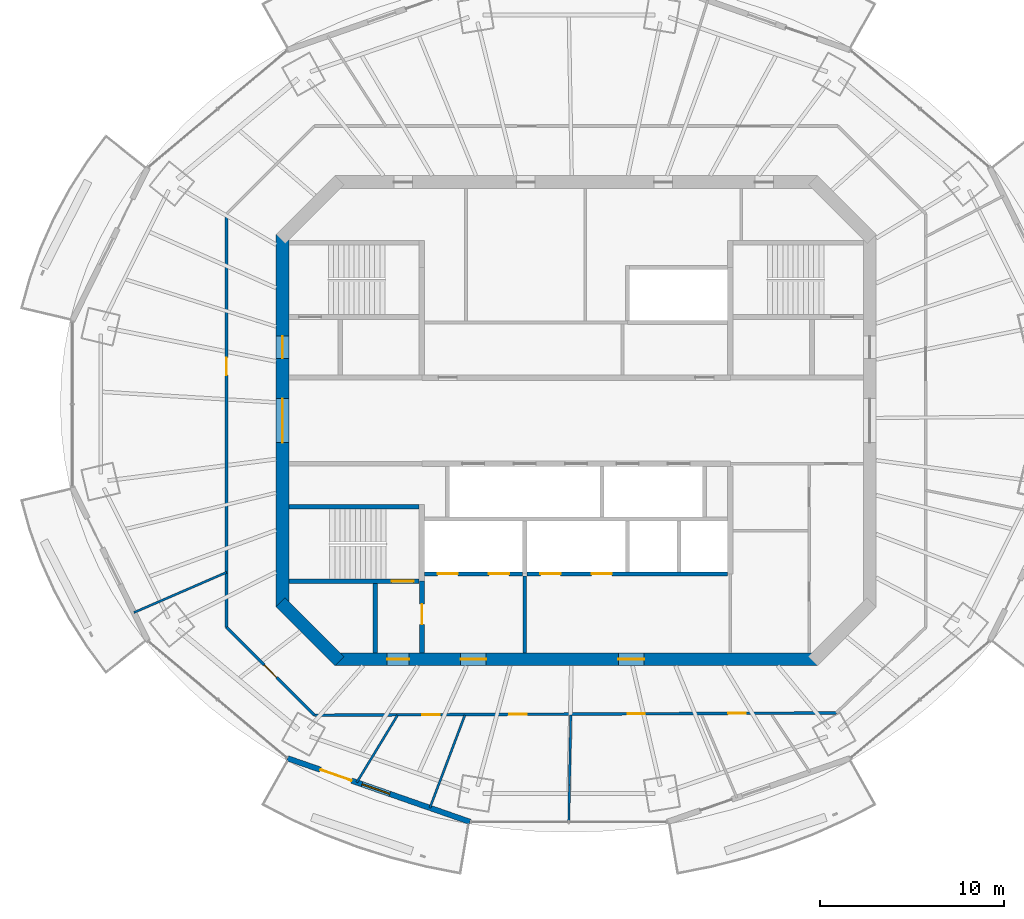
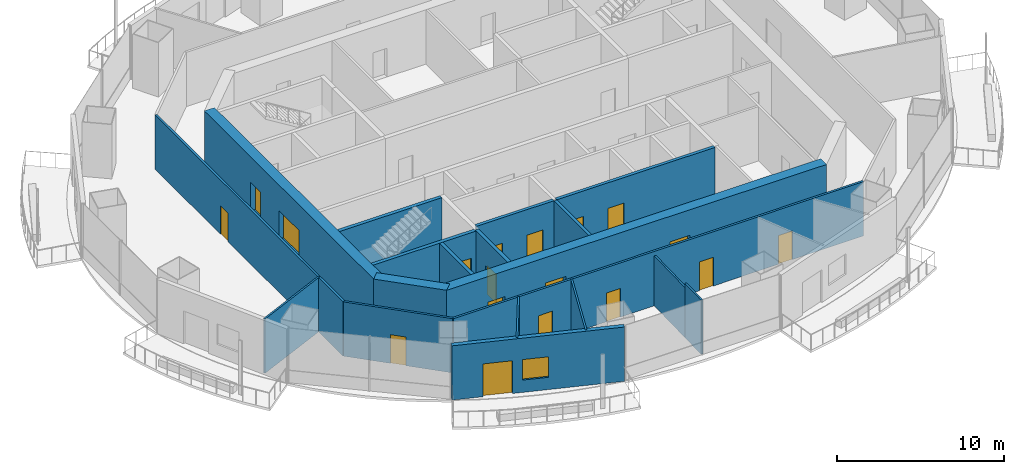
# One storey, part 8 of 16: 19 walls, 18 doors, 1 window, 19 openings.
"""IFC4 building model written with IfcOpenShell, lengths in metres."""

from ifc_helpers import new_model, si_unit, direction, frame, frame_2d, origin, place, context, subcontext, project, spatial, rectangle, extrude, material, layer, layer_set, type_object, element, fill, save


model = new_model("IFC4")

# Units and contexts
model_context = context("Model", 3, precision=1e-05, world=origin(), true_north=direction((0.0, 1.0)))
body_context = subcontext(model_context, "Body", "Model", "MODEL_VIEW")
ifc_project = project(units=[si_unit("LENGTHUNIT", "METRE"), si_unit("AREAUNIT", "SQUARE_METRE"), si_unit("VOLUMEUNIT", "CUBIC_METRE"), si_unit("PLANEANGLEUNIT", "RADIAN"), si_unit("MASSUNIT", "GRAM", prefix="KILO")], contexts=[model_context])

# Site, building, storey
site_placement = place(None, origin())
site = spatial("IfcSite", under=ifc_project, at=site_placement, CompositionType="ELEMENT")
building_placement = place(site_placement, origin())
building = spatial("IfcBuilding", under=site, at=building_placement, Name="Marenthal Gate Tower", CompositionType="ELEMENT")
storey_placement = place(building_placement, frame((0.0, 0.0, 330.14990234375)))
storey = spatial("IfcBuildingStorey", under=building, at=storey_placement, Name="L74", CompositionType="ELEMENT", Elevation=330.14990234375)

# Wall, openings, doors
ifc_material_1 = material(Name="Concrete 60 MPa", Category="concrete")
ifc_layer_1 = layer(ifc_material_1, 0.699951171875)
ifc_layer_set_1 = layer_set([ifc_layer_1], Name="Core shear wall 700")
wall_type_1 = type_object("IfcWallType", Name="Core shear wall 700", PredefinedType="SHEAR", material=ifc_layer_set_1)
wall_1_placement = place(storey_placement, frame((-16.0, 10.14501953125, -0.179931640625), z_axis=(0.0, 0.0, 1.0), x_axis=(0.0, -1.0, 0.0)))
wall_1 = element("IfcWall", 1, at=wall_1_placement, inside=storey, type_object=wall_type_1, Name="Core wall 06", PredefinedType="SHEAR", context=body_context, shape_type="SweptSolid", body=[
    extrude(rectangle(XDim=20.2900390625, YDim=0.699951171875, at=frame_2d((10.14501953125, 0.0))), origin(), (0.0, 0.0, 1.0), 4.150146484375),
])
opening_1_placement = place(wall_1_placement, frame((8.945068359375, 0.0, 0.179931640625)))
opening_1 = element("IfcOpeningElement", 2, at=opening_1_placement, cuts=wall_1, Name="Opening D003.01", PredefinedType="OPENING", context=body_context, shape_type="SweptSolid", body=[
    extrude(rectangle(XDim=2.39990234375, YDim=2.10009765625, at=frame_2d((1.199951171875, 1.050048828125))), frame((0.0, 0.35986328125, 0.0), z_axis=(0.0, -1.0, 0.0), x_axis=(1.0, 0.0, 0.0)), (0.0, 0.0, 1.0), 0.719970703125),
])
opening_2_placement = place(wall_1_placement, frame((5.544921875, 0.0, 0.179931640625)))
opening_2 = element("IfcOpeningElement", 3, at=opening_2_placement, cuts=wall_1, Name="Opening D001.04", PredefinedType="OPENING", context=body_context, shape_type="SweptSolid", body=[
    extrude(rectangle(XDim=1.199951171875, YDim=2.10009765625, at=frame_2d((0.60009765625, 1.050048828125))), frame((0.0, 0.35986328125, 0.0), z_axis=(0.0, -1.0, 0.0), x_axis=(1.0, 0.0, 0.0)), (0.0, 0.0, 1.0), 0.719970703125),
])
ifc_material_2 = material(Name="Steel fire door", Category="steel")
door_type_1 = type_object("IfcDoorType", Name="Double fire door FD 45 2400 x 2100", OperationType="DOUBLE_DOOR_SINGLE_SWING", PredefinedType="DOOR", material=ifc_material_2)
door_1_placement = place(opening_1_placement, origin())
door_1 = element("IfcDoor", 4, at=door_1_placement, inside=storey, type_object=door_type_1, Name="Door D003.01", OperationType="DOUBLE_DOOR_SINGLE_SWING", OverallHeight=2.10009765625, OverallWidth=2.39990234375, PredefinedType="DOOR", context=body_context, shape_type="SweptSolid", body=[
    extrude(rectangle(XDim=2.39990234375, YDim=2.10009765625, at=frame_2d((1.199951171875, 1.050048828125))), frame((0.0, 0.02490234375, 0.0), z_axis=(0.0, -1.0, 0.0), x_axis=(1.0, 0.0, 0.0)), (0.0, 0.0, 1.0), 0.050048828125),
])
fill(opening_1, door_1)
ifc_material_3 = material(Name="Steel fire door", Category="steel")
door_type_2 = type_object("IfcDoorType", Name="Fire door FD 90 1200 x 2100", OperationType="NOTDEFINED", PredefinedType="DOOR", material=ifc_material_3)
door_2_placement = place(opening_2_placement, origin())
door_2 = element("IfcDoor", 5, at=door_2_placement, inside=storey, type_object=door_type_2, Name="Door D001.04", OperationType="SINGLE_SWING_RIGHT", OverallHeight=2.10009765625, OverallWidth=1.199951171875, PredefinedType="DOOR", context=body_context, shape_type="SweptSolid", body=[
    extrude(rectangle(XDim=1.199951171875, YDim=2.10009765625, at=frame_2d((0.60009765625, 1.050048828125))), frame((0.0, 0.02490234375, 0.0), z_axis=(0.0, -1.0, 0.0), x_axis=(1.0, 0.0, 0.0)), (0.0, 0.0, 1.0), 0.050048828125),
])
fill(opening_2, door_2)

# Wall
wall_2_placement = place(storey_placement, frame((-16.1025390625, -9.8974609375, -0.179931640625), z_axis=(0.0, 0.0, 1.0), x_axis=(0.707106781187, -0.707106781187, 0.0)))
element("IfcWall", 6, at=wall_2_placement, inside=storey, type_object=wall_type_1, Name="Core wall 07", PredefinedType="SHEAR", context=body_context, shape_type="SweptSolid", body=[
    extrude(rectangle(XDim=4.53271484375, YDim=0.699951171875, at=frame_2d((2.266357421875, 0.0))), origin(), (0.0, 0.0, 1.0), 4.150146484375),
])

# Wall, openings, doors
wall_3_placement = place(storey_placement, frame((-13.14501953125, -13.0, -0.179931640625), z_axis=(0.0, 0.0, 1.0), x_axis=(1.0, 0.0, 0.0)))
wall_3 = element("IfcWall", 7, at=wall_3_placement, inside=storey, type_object=wall_type_1, Name="Core wall 08", PredefinedType="SHEAR", context=body_context, shape_type="SweptSolid", body=[
    extrude(rectangle(XDim=26.2900390625, YDim=0.699951171875, at=frame_2d((13.14501953125, 0.0))), origin(), (0.0, 0.0, 1.0), 4.150146484375),
])
opening_3_placement = place(wall_3_placement, frame((2.844970703125, 0.0, 0.179931640625)))
opening_3 = element("IfcOpeningElement", 8, at=opening_3_placement, cuts=wall_3, Name="Opening D001.06", PredefinedType="OPENING", context=body_context, shape_type="SweptSolid", body=[
    extrude(rectangle(XDim=1.199951171875, YDim=2.10009765625, at=frame_2d((0.60009765625, 1.050048828125))), frame((0.0, 0.35986328125, 0.0), z_axis=(0.0, -1.0, 0.0), x_axis=(1.0, 0.0, 0.0)), (0.0, 0.0, 1.0), 0.719970703125),
])
opening_4_placement = place(wall_3_placement, frame((6.844970703125, 0.0, 0.179931640625)))
opening_4 = element("IfcOpeningElement", 9, at=opening_4_placement, cuts=wall_3, Name="Opening D004.01", PredefinedType="OPENING", context=body_context, shape_type="SweptSolid", body=[
    extrude(rectangle(XDim=1.39990234375, YDim=2.10009765625, at=frame_2d((0.699951171875, 1.050048828125))), frame((0.0, 0.35986328125, 0.0), z_axis=(0.0, -1.0, 0.0), x_axis=(1.0, 0.0, 0.0)), (0.0, 0.0, 1.0), 0.719970703125),
])
opening_5_placement = place(wall_3_placement, frame((15.445068359375, 0.0, 0.179931640625)))
opening_5 = element("IfcOpeningElement", 10, at=opening_5_placement, cuts=wall_3, Name="Opening D004.02", PredefinedType="OPENING", context=body_context, shape_type="SweptSolid", body=[
    extrude(rectangle(XDim=1.39990234375, YDim=2.10009765625, at=frame_2d((0.699951171875, 1.050048828125))), frame((0.0, 0.35986328125, 0.0), z_axis=(0.0, -1.0, 0.0), x_axis=(1.0, 0.0, 0.0)), (0.0, 0.0, 1.0), 0.719970703125),
])
ifc_material_4 = material(Name="Steel fire door", Category="steel")
door_type_3 = type_object("IfcDoorType", Name="Fire door FD 45 1400 x 2100", OperationType="NOTDEFINED", PredefinedType="DOOR", material=ifc_material_4)
door_3_placement = place(opening_4_placement, origin())
door_3 = element("IfcDoor", 11, at=door_3_placement, inside=storey, type_object=door_type_3, Name="Door D004.01", OperationType="SINGLE_SWING_RIGHT", OverallHeight=2.10009765625, OverallWidth=1.39990234375, PredefinedType="DOOR", context=body_context, shape_type="SweptSolid", body=[
    extrude(rectangle(XDim=1.39990234375, YDim=2.10009765625, at=frame_2d((0.699951171875, 1.050048828125))), frame((0.0, 0.02490234375, 0.0), z_axis=(0.0, -1.0, 0.0), x_axis=(1.0, 0.0, 0.0)), (0.0, 0.0, 1.0), 0.050048828125),
])
fill(opening_4, door_3)
door_4_placement = place(opening_5_placement, origin())
door_4 = element("IfcDoor", 12, at=door_4_placement, inside=storey, type_object=door_type_3, Name="Door D004.02", OperationType="SINGLE_SWING_RIGHT", OverallHeight=2.10009765625, OverallWidth=1.39990234375, PredefinedType="DOOR", context=body_context, shape_type="SweptSolid", body=[
    extrude(rectangle(XDim=1.39990234375, YDim=2.10009765625, at=frame_2d((0.699951171875, 1.050048828125))), frame((0.0, 0.02490234375, 0.0), z_axis=(0.0, -1.0, 0.0), x_axis=(1.0, 0.0, 0.0)), (0.0, 0.0, 1.0), 0.050048828125),
])
fill(opening_5, door_4)
door_5_placement = place(opening_3_placement, origin())
door_5 = element("IfcDoor", 13, at=door_5_placement, inside=storey, type_object=door_type_2, Name="Door D001.06", OperationType="SINGLE_SWING_RIGHT", OverallHeight=2.10009765625, OverallWidth=1.199951171875, PredefinedType="DOOR", context=body_context, shape_type="SweptSolid", body=[
    extrude(rectangle(XDim=1.199951171875, YDim=2.10009765625, at=frame_2d((0.60009765625, 1.050048828125))), frame((0.0, 0.02490234375, 0.0), z_axis=(0.0, -1.0, 0.0), x_axis=(1.0, 0.0, 0.0)), (0.0, 0.0, 1.0), 0.050048828125),
])
fill(opening_3, door_5)

# Wall
ifc_material_5 = material(Name="Gypsum board on steel studs", Category="steel")
ifc_layer_2 = layer(ifc_material_5, 0.199951171875)
ifc_layer_set_2 = layer_set([ifc_layer_2], Name="Fire lobby wall 200")
wall_type_2 = type_object("IfcWallType", Name="Fire lobby wall 200", PredefinedType="PARTITIONING", material=ifc_layer_set_2)
wall_4_placement = place(storey_placement, frame((-2.800048828125, -12.64990234375, 0.0), z_axis=(0.0, 0.0, 1.0), x_axis=(0.0, 1.0, 0.0)))
element("IfcWall", 14, at=wall_4_placement, inside=storey, type_object=wall_type_2, Name="Fire wall 36", PredefinedType="PARTITIONING", context=body_context, shape_type="SweptSolid", body=[
    extrude(rectangle(XDim=4.18994140625, YDim=0.199951171875, at=frame_2d((2.094970703125, 0.0))), origin(), (0.0, 0.0, 1.0), 3.97021484375),
])

# Wall, openings, doors
ifc_material_6 = material(Name="Concrete 40 MPa", Category="concrete")
ifc_layer_3 = layer(ifc_material_6, 0.219970703125)
ifc_layer_set_3 = layer_set([ifc_layer_3], Name="Hoistway wall 220")
wall_type_3 = type_object("IfcWallType", Name="Hoistway wall 220", PredefinedType="STANDARD", material=ifc_layer_set_3)
wall_5_placement = place(storey_placement, frame((-8.25, -8.35009765625, 0.0), z_axis=(0.0, 0.0, 1.0), x_axis=(1.0, 0.0, 0.0)))
wall_5 = element("IfcWall", 15, at=wall_5_placement, inside=storey, type_object=wall_type_3, Name="Hoistway wall 10", PredefinedType="STANDARD", context=body_context, shape_type="SweptSolid", body=[
    extrude(rectangle(XDim=5.340087890625, YDim=0.219970703125, at=frame_2d((2.669921875, 0.0))), origin(), (0.0, 0.0, 1.0), 3.97021484375),
])
opening_6_placement = place(wall_5_placement, frame((0.699951171875, 0.0, 0.0)))
opening_6 = element("IfcOpeningElement", 16, at=opening_6_placement, cuts=wall_5, Name="Opening LD-LF1", PredefinedType="OPENING", context=body_context, shape_type="SweptSolid", body=[
    extrude(rectangle(XDim=1.10009765625, YDim=2.10009765625, at=frame_2d((0.550048828125, 1.050048828125))), frame((0.0, 0.1201171875, 0.0), z_axis=(0.0, -1.0, 0.0), x_axis=(1.0, 0.0, 0.0)), (0.0, 0.0, 1.0), 0.239990234375),
])
opening_7_placement = place(wall_5_placement, frame((3.5, 0.0, 0.0)))
opening_7 = element("IfcOpeningElement", 17, at=opening_7_placement, cuts=wall_5, Name="Opening LD-LF2", PredefinedType="OPENING", context=body_context, shape_type="SweptSolid", body=[
    extrude(rectangle(XDim=1.10009765625, YDim=2.10009765625, at=frame_2d((0.550048828125, 1.050048828125))), frame((0.0, 0.1201171875, 0.0), z_axis=(0.0, -1.0, 0.0), x_axis=(1.0, 0.0, 0.0)), (0.0, 0.0, 1.0), 0.239990234375),
])
ifc_material_7 = material(Name="Stainless steel sliding door", Category="steel")
door_type_4 = type_object("IfcDoorType", Name="Lift landing door FD 90 1100 x 2100", OperationType="DOUBLE_DOOR_SLIDING", PredefinedType="DOOR", material=ifc_material_7)
door_6_placement = place(opening_6_placement, origin())
door_6 = element("IfcDoor", 18, at=door_6_placement, inside=storey, type_object=door_type_4, Name="Lift landing door LF1", OperationType="DOUBLE_DOOR_SLIDING", OverallHeight=2.10009765625, OverallWidth=1.10009765625, PredefinedType="DOOR", context=body_context, shape_type="SweptSolid", body=[
    extrude(rectangle(XDim=1.10009765625, YDim=2.10009765625, at=frame_2d((0.550048828125, 1.050048828125))), frame((0.0, 0.02490234375, 0.0), z_axis=(0.0, -1.0, 0.0), x_axis=(1.0, 0.0, 0.0)), (0.0, 0.0, 1.0), 0.050048828125),
])
fill(opening_6, door_6)
door_7_placement = place(opening_7_placement, origin())
door_7 = element("IfcDoor", 19, at=door_7_placement, inside=storey, type_object=door_type_4, Name="Lift landing door LF2", OperationType="DOUBLE_DOOR_SLIDING", OverallHeight=2.10009765625, OverallWidth=1.10009765625, PredefinedType="DOOR", context=body_context, shape_type="SweptSolid", body=[
    extrude(rectangle(XDim=1.10009765625, YDim=2.10009765625, at=frame_2d((0.550048828125, 1.050048828125))), frame((0.0, 0.02490234375, 0.0), z_axis=(0.0, -1.0, 0.0), x_axis=(1.0, 0.0, 0.0)), (0.0, 0.0, 1.0), 0.050048828125),
])
fill(opening_7, door_7)

wall_6_placement = place(storey_placement, frame((-2.68994140625, -8.35009765625, 0.0), z_axis=(0.0, 0.0, 1.0), x_axis=(1.0, 0.0, 0.0)))
wall_6 = element("IfcWall", 20, at=wall_6_placement, inside=storey, type_object=wall_type_3, Name="Hoistway wall 11", PredefinedType="STANDARD", context=body_context, shape_type="SweptSolid", body=[
    extrude(rectangle(XDim=10.93994140625, YDim=0.219970703125, at=frame_2d((5.469970703125, 0.0))), origin(), (0.0, 0.0, 1.0), 3.97021484375),
])
opening_8_placement = place(wall_6_placement, frame((0.739990234375, 0.0, 0.0)))
opening_8 = element("IfcOpeningElement", 21, at=opening_8_placement, cuts=wall_6, Name="Opening LD-SV1", PredefinedType="OPENING", context=body_context, shape_type="SweptSolid", body=[
    extrude(rectangle(XDim=1.10009765625, YDim=2.10009765625, at=frame_2d((0.550048828125, 1.050048828125))), frame((0.0, 0.1201171875, 0.0), z_axis=(0.0, -1.0, 0.0), x_axis=(1.0, 0.0, 0.0)), (0.0, 0.0, 1.0), 0.239990234375),
])
opening_9_placement = place(wall_6_placement, frame((3.5400390625, 0.0, 0.0)))
opening_9 = element("IfcOpeningElement", 22, at=opening_9_placement, cuts=wall_6, Name="Opening LD-SV2", PredefinedType="OPENING", context=body_context, shape_type="SweptSolid", body=[
    extrude(rectangle(XDim=1.10009765625, YDim=2.10009765625, at=frame_2d((0.550048828125, 1.050048828125))), frame((0.0, 0.1201171875, 0.0), z_axis=(0.0, -1.0, 0.0), x_axis=(1.0, 0.0, 0.0)), (0.0, 0.0, 1.0), 0.239990234375),
])
door_8_placement = place(opening_8_placement, origin())
door_8 = element("IfcDoor", 23, at=door_8_placement, inside=storey, type_object=door_type_4, Name="Lift landing door SV1", OperationType="DOUBLE_DOOR_SLIDING", OverallHeight=2.10009765625, OverallWidth=1.10009765625, PredefinedType="DOOR", context=body_context, shape_type="SweptSolid", body=[
    extrude(rectangle(XDim=1.10009765625, YDim=2.10009765625, at=frame_2d((0.550048828125, 1.050048828125))), frame((0.0, 0.02490234375, 0.0), z_axis=(0.0, -1.0, 0.0), x_axis=(1.0, 0.0, 0.0)), (0.0, 0.0, 1.0), 0.050048828125),
])
fill(opening_8, door_8)
door_9_placement = place(opening_9_placement, origin())
door_9 = element("IfcDoor", 24, at=door_9_placement, inside=storey, type_object=door_type_4, Name="Lift landing door SV2", OperationType="DOUBLE_DOOR_SLIDING", OverallHeight=2.10009765625, OverallWidth=1.10009765625, PredefinedType="DOOR", context=body_context, shape_type="SweptSolid", body=[
    extrude(rectangle(XDim=1.10009765625, YDim=2.10009765625, at=frame_2d((0.550048828125, 1.050048828125))), frame((0.0, 0.02490234375, 0.0), z_axis=(0.0, -1.0, 0.0), x_axis=(1.0, 0.0, 0.0)), (0.0, 0.0, 1.0), 0.050048828125),
])
fill(opening_9, door_9)

# Walls
ifc_material_8 = material(Name="Gypsum board on steel studs", Category="steel")
ifc_layer_4 = layer(ifc_material_8, 0.1201171875)
ifc_layer_set_4 = layer_set([ifc_layer_4], Name="Partition 120")
wall_type_4 = type_object("IfcWallType", Name="Partition 120", PredefinedType="PARTITIONING", material=ifc_layer_set_4)
wall_7_placement = place(storey_placement, frame((-19.050048828125, -8.26611328125, 0.0), z_axis=(0.0, 0.0, 1.0), x_axis=(-0.917352652967, -0.398075508031, 0.0)))
element("IfcWall", 25, at=wall_7_placement, inside=storey, type_object=wall_type_4, Name="Partition wall 53", PredefinedType="PARTITIONING", context=body_context, shape_type="SweptSolid", body=[
    extrude(rectangle(XDim=5.503173828125, YDim=0.1201171875, at=frame_2d((2.75146484375, 0.0))), origin(), (0.0, 0.0, 1.0), 3.97021484375),
])
wall_8_placement = place(storey_placement, frame((-9.731689453125, -16.050048828125, 0.0), z_axis=(0.0, 0.0, 1.0), x_axis=(-0.518455854968, -0.855104395059, 0.0)))
element("IfcWall", 26, at=wall_8_placement, inside=storey, type_object=wall_type_4, Name="Partition wall 58", PredefinedType="PARTITIONING", context=body_context, shape_type="SweptSolid", body=[
    extrude(rectangle(XDim=4.282470703125, YDim=0.1201171875, at=frame_2d((2.14111328125, 0.0))), origin(), (0.0, 0.0, 1.0), 3.97021484375),
])
wall_9_placement = place(storey_placement, frame((-6.06298828125, -16.050048828125, 0.0), z_axis=(0.0, 0.0, 1.0), x_axis=(-0.353368021135, -0.935484388774, 0.0)))
element("IfcWall", 27, at=wall_9_placement, inside=storey, type_object=wall_type_4, Name="Partition wall 59", PredefinedType="PARTITIONING", context=body_context, shape_type="SweptSolid", body=[
    extrude(rectangle(XDim=5.397216796875, YDim=0.1201171875, at=frame_2d((2.69873046875, 0.0))), origin(), (0.0, 0.0, 1.0), 3.97021484375),
])
wall_10_placement = place(storey_placement, frame((-0.293701171875, -16.050048828125, 0.0), z_axis=(0.0, 0.0, 1.0), x_axis=(-0.018315477144, -0.99983225758, 0.0)))
element("IfcWall", 28, at=wall_10_placement, inside=storey, type_object=wall_type_4, Name="Partition wall 60", PredefinedType="PARTITIONING", context=body_context, shape_type="SweptSolid", body=[
    extrude(rectangle(XDim=3.799072265625, YDim=0.1201171875, at=frame_2d((1.8994140625, 0.0))), origin(), (0.0, 0.0, 1.0), 3.66015625),
])
wall_11_placement = place(storey_placement, frame((-0.36328125, -19.848388671875, 0.0), z_axis=(0.0, 0.0, 1.0), x_axis=(-0.018192039868, -0.999834511149, 0.0)))
element("IfcWall", 29, at=wall_11_placement, inside=storey, type_object=wall_type_4, Name="Partition wall 70", PredefinedType="PARTITIONING", context=body_context, shape_type="SweptSolid", body=[
    extrude(rectangle(XDim=2.012939453125, YDim=0.1201171875, at=frame_2d((1.00634765625, 0.0))), origin(), (0.0, 0.0, 1.0), 3.97021484375),
])

# Wall, opening, door
ifc_material_9 = material(Name="Gypsum board on steel studs", Category="steel")
ifc_layer_5 = layer(ifc_material_9, 0.14990234375)
ifc_layer_set_5 = layer_set([ifc_layer_5], Name="Partition 150")
wall_type_5 = type_object("IfcWallType", Name="Partition 150", PredefinedType="PARTITIONING", material=ifc_layer_set_5)
wall_12_placement = place(storey_placement, frame((-19.050048828125, -11.263427734375, 0.0), z_axis=(0.0, 0.0, 1.0), x_axis=(0.0, 1.0, 0.0)))
wall_12 = element("IfcWall", 30, at=wall_12_placement, inside=storey, type_object=wall_type_5, Name="Partition wall 52", PredefinedType="PARTITIONING", context=body_context, shape_type="SweptSolid", body=[
    extrude(rectangle(XDim=22.52685546875, YDim=0.14990234375, at=frame_2d((11.263427734375, 0.0))), origin(), (0.0, 0.0, 1.0), 3.97021484375),
])
opening_10_placement = place(wall_12_placement, frame((13.7451171875, 0.0, 0.0)))
opening_10 = element("IfcOpeningElement", 31, at=opening_10_placement, cuts=wall_12, Name="Opening D016.02", PredefinedType="OPENING", context=body_context, shape_type="SweptSolid", body=[
    extrude(rectangle(XDim=0.949951171875, YDim=2.10009765625, at=frame_2d((0.47509765625, 1.050048828125))), frame((0.0, 0.0849609375, 0.0), z_axis=(0.0, -1.0, 0.0), x_axis=(1.0, 0.0, 0.0)), (0.0, 0.0, 1.0), 0.169921875),
])
ifc_material_10 = material(Name="Timber door", Category="wood")
door_type_5 = type_object("IfcDoorType", Name="Door 950 x 2100", OperationType="NOTDEFINED", PredefinedType="DOOR", material=ifc_material_10)
door_10_placement = place(opening_10_placement, frame((0.949951171875, 0.0, 0.0), z_axis=(0.0, 0.0, 1.0), x_axis=(-1.0, 0.0, 0.0)))
door_10 = element("IfcDoor", 32, at=door_10_placement, inside=storey, type_object=door_type_5, Name="Door D016.02", OperationType="SINGLE_SWING_LEFT", OverallHeight=2.10009765625, OverallWidth=0.949951171875, PredefinedType="DOOR", context=body_context, shape_type="SweptSolid", body=[
    extrude(rectangle(XDim=0.949951171875, YDim=2.10009765625, at=frame_2d((0.47509765625, 1.050048828125))), frame((0.0, 0.02490234375, 0.0), z_axis=(0.0, -1.0, 0.0), x_axis=(1.0, 0.0, 0.0)), (0.0, 0.0, 1.0), 0.050048828125),
])
fill(opening_10, door_10)

wall_13_placement = place(storey_placement, frame((-14.263427734375, -16.050048828125, 0.0), z_axis=(0.0, 0.0, 1.0), x_axis=(-0.707106781187, 0.707106781187, 0.0)))
wall_13 = element("IfcWall", 33, at=wall_13_placement, inside=storey, type_object=wall_type_5, Name="Partition wall 55", PredefinedType="PARTITIONING", context=body_context, shape_type="SweptSolid", body=[
    extrude(rectangle(XDim=6.769287109375, YDim=0.14990234375, at=frame_2d((3.384765625, 0.0))), origin(), (0.0, 0.0, 1.0), 3.97021484375),
])
opening_11_placement = place(wall_13_placement, frame((2.909912109375, 0.0, 0.0)))
opening_11 = element("IfcOpeningElement", 34, at=opening_11_placement, cuts=wall_13, Name="Opening D016.03", PredefinedType="OPENING", context=body_context, shape_type="SweptSolid", body=[
    extrude(rectangle(XDim=0.949951171875, YDim=2.10009765625, at=frame_2d((0.47509765625, 1.050048828125))), frame((0.0, 0.0849609375, 0.0), z_axis=(0.0, -1.0, 0.0), x_axis=(1.0, 0.0, 0.0)), (0.0, 0.0, 1.0), 0.169921875),
])
door_11_placement = place(opening_11_placement, origin())
door_11 = element("IfcDoor", 35, at=door_11_placement, inside=storey, type_object=door_type_5, Name="Door D016.03", OperationType="SINGLE_SWING_RIGHT", OverallHeight=2.10009765625, OverallWidth=0.949951171875, PredefinedType="DOOR", context=body_context, shape_type="SweptSolid", body=[
    extrude(rectangle(XDim=0.949951171875, YDim=2.10009765625, at=frame_2d((0.47509765625, 1.050048828125))), frame((0.0, 0.02490234375, 0.0), z_axis=(0.0, -1.0, 0.0), x_axis=(1.0, 0.0, 0.0)), (0.0, 0.0, 1.0), 0.050048828125),
])
fill(opening_11, door_11)

# Wall, openings, doors
wall_14_placement = place(storey_placement, frame((14.176025390625, -15.92626953125, 0.0), z_axis=(0.0, 0.0, 1.0), x_axis=(-0.99999052853, -0.004352338421, 0.0)))
wall_14 = element("IfcWall", 36, at=wall_14_placement, inside=storey, type_object=wall_type_5, Name="Partition wall 64", PredefinedType="PARTITIONING", context=body_context, shape_type="SweptSolid", body=[
    extrude(rectangle(XDim=28.439697265625, YDim=0.14990234375, at=frame_2d((14.2197265625, 0.0))), origin(), (0.0, 0.0, 1.0), 3.97021484375),
])
opening_12_placement = place(wall_14_placement, frame((21.59912109375, 0.0, 0.0)))
opening_12 = element("IfcOpeningElement", 37, at=opening_12_placement, cuts=wall_14, Name="Opening D016.04", PredefinedType="OPENING", context=body_context, shape_type="SweptSolid", body=[
    extrude(rectangle(XDim=0.949951171875, YDim=2.10009765625, at=frame_2d((0.47509765625, 1.050048828125))), frame((0.0, 0.0849609375, 0.0), z_axis=(0.0, -1.0, 0.0), x_axis=(1.0, 0.0, 0.0)), (0.0, 0.0, 1.0), 0.169921875),
])
opening_13_placement = place(wall_14_placement, frame((16.8798828125, 0.0, 0.0)))
opening_13 = element("IfcOpeningElement", 38, at=opening_13_placement, cuts=wall_14, Name="Opening D016.05", PredefinedType="OPENING", context=body_context, shape_type="SweptSolid", body=[
    extrude(rectangle(XDim=0.949951171875, YDim=2.10009765625, at=frame_2d((0.47509765625, 1.050048828125))), frame((0.0, 0.0849609375, 0.0), z_axis=(0.0, -1.0, 0.0), x_axis=(1.0, 0.0, 0.0)), (0.0, 0.0, 1.0), 0.169921875),
])
opening_14_placement = place(wall_14_placement, frame((10.427001953125, 0.0, 0.0)))
opening_14 = element("IfcOpeningElement", 39, at=opening_14_placement, cuts=wall_14, Name="Opening D016.06", PredefinedType="OPENING", context=body_context, shape_type="SweptSolid", body=[
    extrude(rectangle(XDim=0.949951171875, YDim=2.10009765625, at=frame_2d((0.47509765625, 1.050048828125))), frame((0.0, 0.0849609375, 0.0), z_axis=(0.0, -1.0, 0.0), x_axis=(1.0, 0.0, 0.0)), (0.0, 0.0, 1.0), 0.169921875),
])
opening_15_placement = place(wall_14_placement, frame((4.94189453125, 0.0, 0.0)))
opening_15 = element("IfcOpeningElement", 40, at=opening_15_placement, cuts=wall_14, Name="Opening D016.07", PredefinedType="OPENING", context=body_context, shape_type="SweptSolid", body=[
    extrude(rectangle(XDim=0.949951171875, YDim=2.10009765625, at=frame_2d((0.47509765625, 1.050048828125))), frame((0.0, 0.0849609375, 0.0), z_axis=(0.0, -1.0, 0.0), x_axis=(1.0, 0.0, 0.0)), (0.0, 0.0, 1.0), 0.169921875),
])
door_12_placement = place(opening_12_placement, origin())
door_12 = element("IfcDoor", 41, at=door_12_placement, inside=storey, type_object=door_type_5, Name="Door D016.04", OperationType="SINGLE_SWING_RIGHT", OverallHeight=2.10009765625, OverallWidth=0.949951171875, PredefinedType="DOOR", context=body_context, shape_type="SweptSolid", body=[
    extrude(rectangle(XDim=0.949951171875, YDim=2.10009765625, at=frame_2d((0.47509765625, 1.050048828125))), frame((0.0, 0.02490234375, 0.0), z_axis=(0.0, -1.0, 0.0), x_axis=(1.0, 0.0, 0.0)), (0.0, 0.0, 1.0), 0.050048828125),
])
fill(opening_12, door_12)
door_13_placement = place(opening_13_placement, origin())
door_13 = element("IfcDoor", 42, at=door_13_placement, inside=storey, type_object=door_type_5, Name="Door D016.05", OperationType="SINGLE_SWING_RIGHT", OverallHeight=2.10009765625, OverallWidth=0.949951171875, PredefinedType="DOOR", context=body_context, shape_type="SweptSolid", body=[
    extrude(rectangle(XDim=0.949951171875, YDim=2.10009765625, at=frame_2d((0.47509765625, 1.050048828125))), frame((0.0, 0.02490234375, 0.0), z_axis=(0.0, -1.0, 0.0), x_axis=(1.0, 0.0, 0.0)), (0.0, 0.0, 1.0), 0.050048828125),
])
fill(opening_13, door_13)
door_14_placement = place(opening_14_placement, origin())
door_14 = element("IfcDoor", 43, at=door_14_placement, inside=storey, type_object=door_type_5, Name="Door D016.06", OperationType="SINGLE_SWING_RIGHT", OverallHeight=2.10009765625, OverallWidth=0.949951171875, PredefinedType="DOOR", context=body_context, shape_type="SweptSolid", body=[
    extrude(rectangle(XDim=0.949951171875, YDim=2.10009765625, at=frame_2d((0.47509765625, 1.050048828125))), frame((0.0, 0.02490234375, 0.0), z_axis=(0.0, -1.0, 0.0), x_axis=(1.0, 0.0, 0.0)), (0.0, 0.0, 1.0), 0.050048828125),
])
fill(opening_14, door_14)
door_15_placement = place(opening_15_placement, origin())
door_15 = element("IfcDoor", 44, at=door_15_placement, inside=storey, type_object=door_type_5, Name="Door D016.07", OperationType="SINGLE_SWING_RIGHT", OverallHeight=2.10009765625, OverallWidth=0.949951171875, PredefinedType="DOOR", context=body_context, shape_type="SweptSolid", body=[
    extrude(rectangle(XDim=0.949951171875, YDim=2.10009765625, at=frame_2d((0.47509765625, 1.050048828125))), frame((0.0, 0.02490234375, 0.0), z_axis=(0.0, -1.0, 0.0), x_axis=(1.0, 0.0, 0.0)), (0.0, 0.0, 1.0), 0.050048828125),
])
fill(opening_15, door_15)

# Wall
ifc_material_11 = material(Name="Concrete 40 MPa", Category="concrete")
ifc_layer_6 = layer(ifc_material_11, 0.25)
ifc_layer_set_6 = layer_set([ifc_layer_6], Name="Stair enclosure wall 250")
wall_type_6 = type_object("IfcWallType", Name="Stair enclosure wall 250", PredefinedType="STANDARD", material=ifc_layer_set_6)
wall_15_placement = place(storey_placement, frame((-10.949951171875, -12.64990234375, 0.0), z_axis=(0.0, 0.0, 1.0), x_axis=(0.0, 1.0, 0.0)))
element("IfcWall", 45, at=wall_15_placement, inside=storey, type_object=wall_type_6, Name="Stair wall 29", PredefinedType="STANDARD", context=body_context, shape_type="SweptSolid", body=[
    extrude(rectangle(XDim=3.77490234375, YDim=0.25, at=frame_2d((1.887451171875, 0.0))), origin(), (0.0, 0.0, 1.0), 3.97021484375),
])

# Wall, opening, door
wall_16_placement = place(storey_placement, frame((-8.39990234375, -12.64990234375, 0.0), z_axis=(0.0, 0.0, 1.0), x_axis=(0.0, 1.0, 0.0)))
wall_16 = element("IfcWall", 46, at=wall_16_placement, inside=storey, type_object=wall_type_6, Name="Stair wall 30", PredefinedType="STANDARD", context=body_context, shape_type="SweptSolid", body=[
    extrude(rectangle(XDim=3.89990234375, YDim=0.25, at=frame_2d((1.949951171875, 0.0))), origin(), (0.0, 0.0, 1.0), 3.97021484375),
])
opening_16_placement = place(wall_16_placement, frame((1.550048828125, 0.0, 0.0)))
opening_16 = element("IfcOpeningElement", 47, at=opening_16_placement, cuts=wall_16, Name="Opening D002.01", PredefinedType="OPENING", context=body_context, shape_type="SweptSolid", body=[
    extrude(rectangle(XDim=1.10009765625, YDim=2.10009765625, at=frame_2d((0.550048828125, 1.050048828125))), frame((0.0, 0.135009765625, 0.0), z_axis=(0.0, -1.0, 0.0), x_axis=(1.0, 0.0, 0.0)), (0.0, 0.0, 1.0), 0.27001953125),
])
ifc_material_12 = material(Name="Steel fire door", Category="steel")
door_type_6 = type_object("IfcDoorType", Name="Fire door FD 90 1100 x 2100", OperationType="NOTDEFINED", PredefinedType="DOOR", material=ifc_material_12)
door_16_placement = place(opening_16_placement, origin())
door_16 = element("IfcDoor", 48, at=door_16_placement, inside=storey, type_object=door_type_6, Name="Door D002.01", OperationType="SINGLE_SWING_RIGHT", OverallHeight=2.10009765625, OverallWidth=1.10009765625, PredefinedType="DOOR", context=body_context, shape_type="SweptSolid", body=[
    extrude(rectangle(XDim=1.10009765625, YDim=2.10009765625, at=frame_2d((0.550048828125, 1.050048828125))), frame((0.0, 0.02490234375, 0.0), z_axis=(0.0, -1.0, 0.0), x_axis=(1.0, 0.0, 0.0)), (0.0, 0.0, 1.0), 0.050048828125),
])
fill(opening_16, door_16)

ifc_material_13 = material(Name="Concrete 50 MPa", Category="concrete")
ifc_layer_7 = layer(ifc_material_13, 0.25)
ifc_layer_set_7 = layer_set([ifc_layer_7], Name="Stair shear wall 250")
wall_type_7 = type_object("IfcWallType", Name="Stair shear wall 250", PredefinedType="SHEAR", material=ifc_layer_set_7)
wall_17_placement = place(storey_placement, frame((-15.64990234375, -8.75, -0.179931640625), z_axis=(0.0, 0.0, 1.0), x_axis=(1.0, 0.0, 0.0)))
wall_17 = element("IfcWall", 49, at=wall_17_placement, inside=storey, type_object=wall_type_7, Name="Stair wall 09", PredefinedType="SHEAR", context=body_context, shape_type="SweptSolid", body=[
    extrude(rectangle(XDim=7.099853515625, YDim=0.25, at=frame_2d((3.5498046875, 0.0))), origin(), (0.0, 0.0, 1.0), 4.150146484375),
])
opening_17_placement = place(wall_17_placement, frame((5.60009765625, 0.0, 0.179931640625)))
opening_17 = element("IfcOpeningElement", 50, at=opening_17_placement, cuts=wall_17, Name="Opening D001.03", PredefinedType="OPENING", context=body_context, shape_type="SweptSolid", body=[
    extrude(rectangle(XDim=1.199951171875, YDim=2.10009765625, at=frame_2d((0.60009765625, 1.050048828125))), frame((0.0, 0.135009765625, 0.0), z_axis=(0.0, -1.0, 0.0), x_axis=(1.0, 0.0, 0.0)), (0.0, 0.0, 1.0), 0.27001953125),
])
door_17_placement = place(opening_17_placement, origin())
door_17 = element("IfcDoor", 51, at=door_17_placement, inside=storey, type_object=door_type_2, Name="Door D001.03", OperationType="SINGLE_SWING_RIGHT", OverallHeight=2.10009765625, OverallWidth=1.199951171875, PredefinedType="DOOR", context=body_context, shape_type="SweptSolid", body=[
    extrude(rectangle(XDim=1.199951171875, YDim=2.10009765625, at=frame_2d((0.60009765625, 1.050048828125))), frame((0.0, 0.02490234375, 0.0), z_axis=(0.0, -1.0, 0.0), x_axis=(1.0, 0.0, 0.0)), (0.0, 0.0, 1.0), 0.050048828125),
])
fill(opening_17, door_17)

# Wall
wall_18_placement = place(storey_placement, frame((-15.64990234375, -4.699951171875, -0.179931640625), z_axis=(0.0, 0.0, 1.0), x_axis=(1.0, 0.0, 0.0)))
element("IfcWall", 52, at=wall_18_placement, inside=storey, type_object=wall_type_7, Name="Stair wall 14", PredefinedType="SHEAR", context=body_context, shape_type="SweptSolid", body=[
    extrude(rectangle(XDim=7.099853515625, YDim=0.25, at=frame_2d((3.5498046875, 0.0))), origin(), (0.0, 0.0, 1.0), 4.150146484375),
])

# Wall, openings, door, window
ifc_material_14 = material(Name="Terracotta cladding on insulated concrete-block backing", Category="masonry")
ifc_layer_8 = layer(ifc_material_14, 0.300048828125)
ifc_layer_set_8 = layer_set([ifc_layer_8], Name="Terracotta facade wall 300")
wall_type_8 = type_object("IfcWallType", Name="Terracotta facade wall 300", PredefinedType="SOLIDWALL", material=ifc_layer_set_8)
wall_19_placement = place(storey_placement, frame((-15.729248046875, -18.39599609375, 0.0), z_axis=(0.0, 0.0, 1.0), x_axis=(0.944334385595, -0.328987185438, 0.0)))
wall_19 = element("IfcWall", 53, at=wall_19_placement, inside=storey, type_object=wall_type_8, Name="Terracotta facade wall L74 bay 11", PredefinedType="SOLIDWALL", context=body_context, shape_type="SweptSolid", body=[
    extrude(rectangle(XDim=10.532470703125, YDim=0.300048828125, at=frame_2d((5.26611328125, 0.0))), origin(), (0.0, 0.0, 1.0), 3.97021484375),
])
opening_18_placement = place(wall_19_placement, frame((1.89990234375, 0.0, 0.0)))
opening_18 = element("IfcOpeningElement", 54, at=opening_18_placement, cuts=wall_19, Name="Opening BD-L74-11", PredefinedType="OPENING", context=body_context, shape_type="SweptSolid", body=[
    extrude(rectangle(XDim=1.800048828125, YDim=2.39990234375, at=frame_2d((0.89990234375, 1.199951171875))), frame((0.0, 0.16015625, 0.0), z_axis=(0.0, -1.0, 0.0), x_axis=(1.0, 0.0, 0.0)), (0.0, 0.0, 1.0), 0.320068359375),
])
opening_19_placement = place(wall_19_placement, frame((4.300048828125, 0.0, 0.89990234375)))
opening_19 = element("IfcOpeningElement", 55, at=opening_19_placement, cuts=wall_19, Name="Opening WN3-L74-11", PredefinedType="OPENING", context=body_context, shape_type="SweptSolid", body=[
    extrude(rectangle(XDim=1.60009765625, YDim=1.5, at=frame_2d((0.800048828125, 0.75))), frame((0.0, 0.16015625, 0.0), z_axis=(0.0, -1.0, 0.0), x_axis=(1.0, 0.0, 0.0)), (0.0, 0.0, 1.0), 0.320068359375),
])
ifc_material_15 = material(Name="Aluminium and glass", Category="aluminium")
door_type_7 = type_object("IfcDoorType", Name="Balcony door 1800x2400", OperationType="DOUBLE_DOOR_SINGLE_SWING", PredefinedType="DOOR", material=ifc_material_15)
door_18_placement = place(opening_18_placement, origin())
door_18 = element("IfcDoor", 56, at=door_18_placement, inside=storey, type_object=door_type_7, Name="Balcony door L74 bay 11", OperationType="SINGLE_SWING_LEFT", OverallHeight=2.39990234375, OverallWidth=1.800048828125, PredefinedType="DOOR", context=body_context, shape_type="SweptSolid", body=[
    extrude(rectangle(XDim=1.800048828125, YDim=2.39990234375, at=frame_2d((0.89990234375, 1.199951171875))), frame((0.0, 0.02490234375, 0.0), z_axis=(0.0, -1.0, 0.0), x_axis=(1.0, 0.0, 0.0)), (0.0, 0.0, 1.0), 0.050048828125),
])
fill(opening_18, door_18)
ifc_material_16 = material(Name="Aluminium and glass", Category="aluminium")
window_type = type_object("IfcWindowType", Name="Window 1600x1500", PartitioningType="DOUBLE_PANEL_VERTICAL", PredefinedType="WINDOW", material=ifc_material_16)
window_placement = place(opening_19_placement, origin())
window = element("IfcWindow", 57, at=window_placement, inside=storey, type_object=window_type, Name="Window L74 bay 11", OverallHeight=1.5, OverallWidth=1.60009765625, PartitioningType="SINGLE_PANEL", PredefinedType="WINDOW", context=body_context, shape_type="SweptSolid", body=[
    extrude(rectangle(XDim=1.60009765625, YDim=1.5, at=frame_2d((0.800048828125, 0.75))), frame((0.0, 0.030029296875, 0.0), z_axis=(0.0, -1.0, 0.0), x_axis=(1.0, 0.0, 0.0)), (0.0, 0.0, 1.0), 0.06005859375),
])
fill(opening_19, window)

save(model, "model.ifc")
